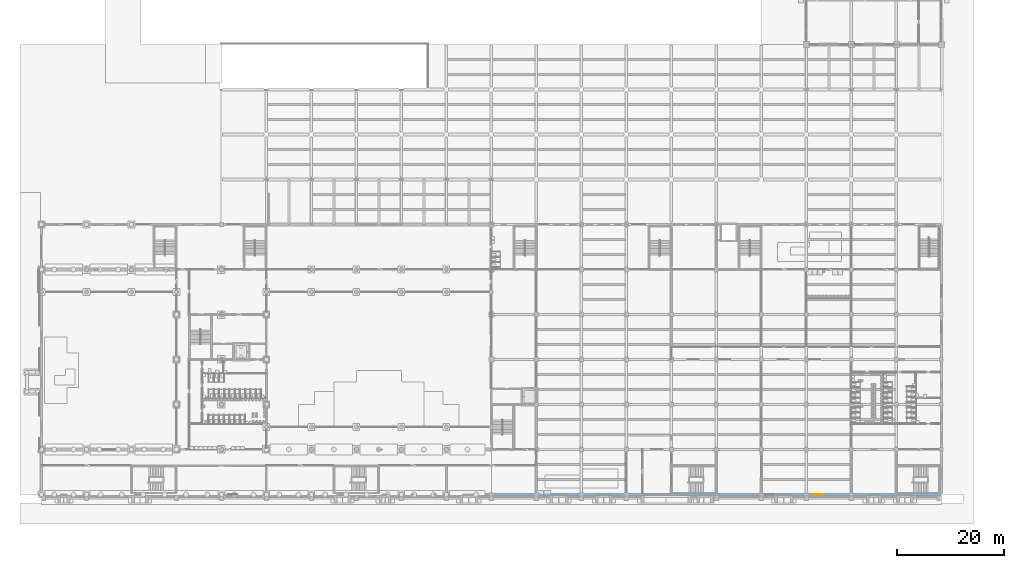
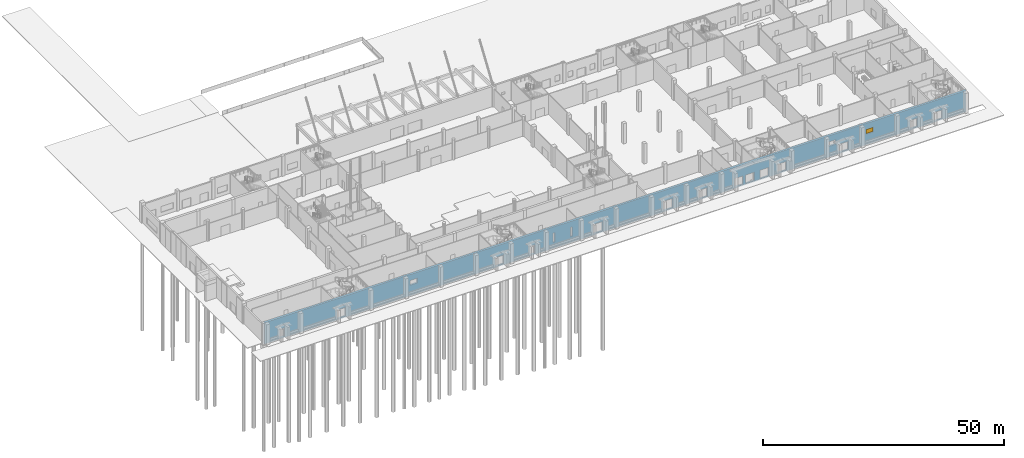
# One storey, part 26 of 74: 1 window, 19 openings, plus 1 element that does not belong to this part.
"""IFC4 building model written with IfcOpenShell, lengths in metres."""

from ifc_helpers import new_model, si_unit, direction, frame, frame_2d, origin, place, context, subcontext, project, spatial, rectangle, extrude, material, layer, layer_set, type_object, element, fill, save


model = new_model("IFC4")

# Units and contexts
model_context = context("Model", 3, precision=1e-05, world=origin(), true_north=direction((0.0, 1.0)))
body_context = subcontext(model_context, "Body", "Model", "MODEL_VIEW")
ifc_project = project(units=[si_unit("LENGTHUNIT", "METRE"), si_unit("AREAUNIT", "SQUARE_METRE"), si_unit("VOLUMEUNIT", "CUBIC_METRE"), si_unit("PLANEANGLEUNIT", "RADIAN"), si_unit("MASSUNIT", "GRAM", prefix="KILO")], contexts=[model_context])

# Site, building, storey
site_placement = place(None, origin())
site = spatial("IfcSite", under=ifc_project, at=site_placement, CompositionType="ELEMENT")
building_placement = place(site_placement, origin())
building = spatial("IfcBuilding", under=site, at=building_placement, Name="Rulbaag Community and Learning Centre", CompositionType="ELEMENT")
storey_placement = place(building_placement, origin())
storey = spatial("IfcBuildingStorey", under=building, at=storey_placement, Name="L00", CompositionType="ELEMENT", Elevation=0.0)

# Wall, openings, window
ifc_material_1 = material(Name="Concrete M40", Category="concrete")
ifc_layer = layer(ifc_material_1, 0.449951171875)
ifc_layer_set = layer_set([ifc_layer], Name="W12 Rail-side wall 450 Concrete M40")
wall_type = type_object("IfcWallType", Name="W12 Rail-side wall 450 Concrete M40", PredefinedType="SOLIDWALL", material=ifc_layer_set)
wall_placement = place(storey_placement, frame((0.0, 0.0, -0.300048828125), z_axis=(0.0, 0.0, 1.0), x_axis=(1.0, 0.0, 0.0)))
wall = element("IfcWall", 1, at=wall_placement, inside=storey, type_object=wall_type, Name="WL-RAIL-L00", PredefinedType="SOLIDWALL", context=body_context, shape_type="SweptSolid", body=[
    extrude(rectangle(XDim=168.0, YDim=0.449951171875, at=frame_2d((84.0, 0.0))), origin(), (0.0, 0.0, 1.0), 5.400146484375),
])
opening_1_placement = place(wall_placement, frame((34.800048828125, 0.0, 2.699951171875)))
element("IfcOpeningElement", 2, at=opening_1_placement, cuts=wall, Name="Opening WN7", PredefinedType="OPENING", context=body_context, shape_type="SweptSolid", body=[
    extrude(rectangle(XDim=1.800048828125, YDim=1.199951171875, at=frame_2d((0.89990234375, 0.60009765625))), frame((0.0, 0.23486328125, 0.0), z_axis=(0.0, -1.0, 0.0), x_axis=(1.0, 0.0, 0.0)), (0.0, 0.0, 1.0), 0.469970703125),
])
opening_2_placement = place(wall_placement, frame((69.074951171875, 0.0, 1.5)))
element("IfcOpeningElement", 3, at=opening_2_placement, cuts=wall, Name="Opening WN6", PredefinedType="OPENING", context=body_context, shape_type="SweptSolid", body=[
    extrude(rectangle(XDim=0.449951171875, YDim=2.39990234375, at=frame_2d((0.22509765625, 1.199951171875))), frame((0.0, 0.23486328125, 0.0), z_axis=(0.0, -1.0, 0.0), x_axis=(1.0, 0.0, 0.0)), (0.0, 0.0, 1.0), 0.469970703125),
])
opening_3_placement = place(wall_placement, frame((73.27490234375, 0.0, 1.5)))
element("IfcOpeningElement", 4, at=opening_3_placement, cuts=wall, Name="Opening WN6", PredefinedType="OPENING", context=body_context, shape_type="SweptSolid", body=[
    extrude(rectangle(XDim=0.449951171875, YDim=2.39990234375, at=frame_2d((0.22509765625, 1.199951171875))), frame((0.0, 0.23486328125, 0.0), z_axis=(0.0, -1.0, 0.0), x_axis=(1.0, 0.0, 0.0)), (0.0, 0.0, 1.0), 0.469970703125),
])
opening_4_placement = place(wall_placement, frame((135.0, 0.0, 2.699951171875)))
element("IfcOpeningElement", 5, at=opening_4_placement, cuts=wall, Name="Opening WN7", PredefinedType="OPENING", context=body_context, shape_type="SweptSolid", body=[
    extrude(rectangle(XDim=1.800048828125, YDim=1.199951171875, at=frame_2d((0.89990234375, 0.60009765625))), frame((0.0, 0.23486328125, 0.0), z_axis=(0.0, -1.0, 0.0), x_axis=(1.0, 0.0, 0.0)), (0.0, 0.0, 1.0), 0.469970703125),
])
opening_5_placement = place(wall_placement, frame((144.0, 0.0, 2.699951171875)))
opening_5 = element("IfcOpeningElement", 6, at=opening_5_placement, cuts=wall, Name="Opening WN7", PredefinedType="OPENING", context=body_context, shape_type="SweptSolid", body=[
    extrude(rectangle(XDim=1.800048828125, YDim=1.199951171875, at=frame_2d((0.89990234375, 0.60009765625))), frame((0.0, 0.23486328125, 0.0), z_axis=(0.0, -1.0, 0.0), x_axis=(1.0, 0.0, 0.0)), (0.0, 0.0, 1.0), 0.469970703125),
])
opening_6_placement = place(wall_placement, frame((114.60009765625, 0.0, 0.300048828125), z_axis=(0.0, 0.0, 1.0), x_axis=(-1.0, 0.0, 0.0)))
element("IfcOpeningElement", 7, at=opening_6_placement, cuts=wall, Name="Opening L00-D098", PredefinedType="OPENING", context=body_context, shape_type="SweptSolid", body=[
    extrude(rectangle(XDim=2.10009765625, YDim=2.199951171875, at=frame_2d((1.050048828125, 1.10009765625))), frame((0.0, 0.23486328125, 0.0), z_axis=(0.0, -1.0, 0.0), x_axis=(1.0, 0.0, 0.0)), (0.0, 0.0, 1.0), 0.469970703125),
])
opening_7_placement = place(wall_placement, frame((117.300048828125, 0.0, 0.300048828125), z_axis=(0.0, 0.0, 1.0), x_axis=(-1.0, 0.0, 0.0)))
element("IfcOpeningElement", 8, at=opening_7_placement, cuts=wall, Name="Opening L00-D100", PredefinedType="OPENING", context=body_context, shape_type="SweptSolid", body=[
    extrude(rectangle(XDim=2.10009765625, YDim=2.199951171875, at=frame_2d((1.050048828125, 1.10009765625))), frame((0.0, 0.23486328125, 0.0), z_axis=(0.0, -1.0, 0.0), x_axis=(1.0, 0.0, 0.0)), (0.0, 0.0, 1.0), 0.469970703125),
])
opening_8_placement = place(wall_placement, frame((106.050048828125, 0.0, 0.300048828125), z_axis=(0.0, 0.0, 1.0), x_axis=(-1.0, 0.0, 0.0)))
element("IfcOpeningElement", 9, at=opening_8_placement, cuts=wall, Name="Opening L00-D094", PredefinedType="OPENING", context=body_context, shape_type="SweptSolid", body=[
    extrude(rectangle(XDim=2.10009765625, YDim=2.199951171875, at=frame_2d((1.050048828125, 1.10009765625))), frame((0.0, 0.23486328125, 0.0), z_axis=(0.0, -1.0, 0.0), x_axis=(1.0, 0.0, 0.0)), (0.0, 0.0, 1.0), 0.469970703125),
])
opening_9_placement = place(wall_placement, frame((57.25, 0.0, 0.300048828125), z_axis=(0.0, 0.0, 1.0), x_axis=(-1.0, 0.0, 0.0)))
element("IfcOpeningElement", 10, at=opening_9_placement, cuts=wall, Name="Opening L00-D066", PredefinedType="OPENING", context=body_context, shape_type="SweptSolid", body=[
    extrude(rectangle(XDim=2.10009765625, YDim=2.199951171875, at=frame_2d((1.050048828125, 1.10009765625))), frame((0.0, 0.23486328125, 0.0), z_axis=(0.0, -1.0, 0.0), x_axis=(1.0, 0.0, 0.0)), (0.0, 0.0, 1.0), 0.469970703125),
])
opening_10_placement = place(wall_placement, frame((120.75, 0.0, 0.300048828125), z_axis=(0.0, 0.0, 1.0), x_axis=(-1.0, 0.0, 0.0)))
element("IfcOpeningElement", 11, at=opening_10_placement, cuts=wall, Name="Opening L00-D106", PredefinedType="OPENING", context=body_context, shape_type="SweptSolid", body=[
    extrude(rectangle(XDim=2.10009765625, YDim=2.199951171875, at=frame_2d((1.050048828125, 1.10009765625))), frame((0.0, 0.23486328125, 0.0), z_axis=(0.0, -1.0, 0.0), x_axis=(1.0, 0.0, 0.0)), (0.0, 0.0, 1.0), 0.469970703125),
])
opening_11_placement = place(wall_placement, frame((124.9501953125, 0.0, 0.300048828125), z_axis=(0.0, 0.0, 1.0), x_axis=(-1.0, 0.0, 0.0)))
element("IfcOpeningElement", 12, at=opening_11_placement, cuts=wall, Name="Opening L00-D110", PredefinedType="OPENING", context=body_context, shape_type="SweptSolid", body=[
    extrude(rectangle(XDim=2.10009765625, YDim=2.199951171875, at=frame_2d((1.050048828125, 1.10009765625))), frame((0.0, 0.23486328125, 0.0), z_axis=(0.0, -1.0, 0.0), x_axis=(1.0, 0.0, 0.0)), (0.0, 0.0, 1.0), 0.469970703125),
])
opening_12_placement = place(wall_placement, frame((19.4501953125, 0.0, 0.300048828125), z_axis=(0.0, 0.0, 1.0), x_axis=(-1.0, 0.0, 0.0)))
element("IfcOpeningElement", 13, at=opening_12_placement, cuts=wall, Name="Opening L00-D013", PredefinedType="OPENING", context=body_context, shape_type="SweptSolid", body=[
    extrude(rectangle(XDim=2.10009765625, YDim=2.199951171875, at=frame_2d((1.050048828125, 1.10009765625))), frame((0.0, 0.23486328125, 0.0), z_axis=(0.0, -1.0, 0.0), x_axis=(1.0, 0.0, 0.0)), (0.0, 0.0, 1.0), 0.469970703125),
])
opening_13_placement = place(wall_placement, frame((162.25, 0.0, 0.300048828125), z_axis=(0.0, 0.0, 1.0), x_axis=(-1.0, 0.0, 0.0)))
element("IfcOpeningElement", 14, at=opening_13_placement, cuts=wall, Name="Opening L00-D177", PredefinedType="OPENING", context=body_context, shape_type="SweptSolid", body=[
    extrude(rectangle(XDim=2.10009765625, YDim=2.199951171875, at=frame_2d((1.050048828125, 1.10009765625))), frame((0.0, 0.23486328125, 0.0), z_axis=(0.0, -1.0, 0.0), x_axis=(1.0, 0.0, 0.0)), (0.0, 0.0, 1.0), 0.469970703125),
])
opening_14_placement = place(wall_placement, frame((4.800048828125, 0.0, 0.300048828125), z_axis=(0.0, 0.0, 1.0), x_axis=(-1.0, 0.0, 0.0)))
element("IfcOpeningElement", 15, at=opening_14_placement, cuts=wall, Name="Opening L00-D005", PredefinedType="OPENING", context=body_context, shape_type="SweptSolid", body=[
    extrude(rectangle(XDim=1.199951171875, YDim=2.199951171875, at=frame_2d((0.60009765625, 1.10009765625))), frame((0.0, 0.23486328125, 0.0), z_axis=(0.0, -1.0, 0.0), x_axis=(1.0, 0.0, 0.0)), (0.0, 0.0, 1.0), 0.469970703125),
])
opening_15_placement = place(wall_placement, frame((64.800048828125, 0.0, 0.300048828125), z_axis=(0.0, 0.0, 1.0), x_axis=(-1.0, 0.0, 0.0)))
element("IfcOpeningElement", 16, at=opening_15_placement, cuts=wall, Name="Opening L00-D072", PredefinedType="OPENING", context=body_context, shape_type="SweptSolid", body=[
    extrude(rectangle(XDim=1.199951171875, YDim=2.199951171875, at=frame_2d((0.60009765625, 1.10009765625))), frame((0.0, 0.23486328125, 0.0), z_axis=(0.0, -1.0, 0.0), x_axis=(1.0, 0.0, 0.0)), (0.0, 0.0, 1.0), 0.469970703125),
])
opening_16_placement = place(wall_placement, frame((81.0, 0.0, 0.300048828125), z_axis=(0.0, 0.0, 1.0), x_axis=(-1.0, 0.0, 0.0)))
element("IfcOpeningElement", 17, at=opening_16_placement, cuts=wall, Name="Opening L00-D075", PredefinedType="OPENING", context=body_context, shape_type="SweptSolid", body=[
    extrude(rectangle(XDim=2.39990234375, YDim=2.39990234375, at=frame_2d((1.199951171875, 1.199951171875))), frame((0.0, 0.23486328125, 0.0), z_axis=(0.0, -1.0, 0.0), x_axis=(1.0, 0.0, 0.0)), (0.0, 0.0, 1.0), 0.469970703125),
])
opening_17_placement = place(wall_placement, frame((97.7998046875, 0.0, 0.300048828125), z_axis=(0.0, 0.0, 1.0), x_axis=(-1.0, 0.0, 0.0)))
element("IfcOpeningElement", 18, at=opening_17_placement, cuts=wall, Name="Opening L00-D091", PredefinedType="OPENING", context=body_context, shape_type="SweptSolid", body=[
    extrude(rectangle(XDim=2.39990234375, YDim=2.39990234375, at=frame_2d((1.199951171875, 1.199951171875))), frame((0.0, 0.23486328125, 0.0), z_axis=(0.0, -1.0, 0.0), x_axis=(1.0, 0.0, 0.0)), (0.0, 0.0, 1.0), 0.469970703125),
])
opening_18_placement = place(wall_placement, frame((139.7998046875, 0.0, 0.300048828125), z_axis=(0.0, 0.0, 1.0), x_axis=(-1.0, 0.0, 0.0)))
element("IfcOpeningElement", 19, at=opening_18_placement, cuts=wall, Name="Opening L00-D122", PredefinedType="OPENING", context=body_context, shape_type="SweptSolid", body=[
    extrude(rectangle(XDim=2.39990234375, YDim=2.10009765625, at=frame_2d((1.199951171875, 1.050048828125))), frame((0.0, 0.23486328125, 0.0), z_axis=(0.0, -1.0, 0.0), x_axis=(1.0, 0.0, 0.0)), (0.0, 0.0, 1.0), 0.469970703125),
])
opening_19_placement = place(wall_placement, frame((156.300048828125, 0.0, 0.300048828125), z_axis=(0.0, 0.0, 1.0), x_axis=(-1.0, 0.0, 0.0)))
element("IfcOpeningElement", 20, at=opening_19_placement, cuts=wall, Name="Opening L00-D155", PredefinedType="OPENING", context=body_context, shape_type="SweptSolid", body=[
    extrude(rectangle(XDim=1.800048828125, YDim=2.199951171875, at=frame_2d((0.89990234375, 1.10009765625))), frame((0.0, 0.23486328125, 0.0), z_axis=(0.0, -1.0, 0.0), x_axis=(1.0, 0.0, 0.0)), (0.0, 0.0, 1.0), 0.469970703125),
])
ifc_material_2 = material(Name="Aluminium", Category="aluminium")
window_type = type_object("IfcWindowType", Name="LV-18", PartitioningType="SINGLE_PANEL", PredefinedType="WINDOW", material=ifc_material_2)
window_placement = place(opening_5_placement, origin())
window = element("IfcWindow", 21, at=window_placement, inside=storey, type_object=window_type, Name="Window WN7", OverallHeight=1.199951171875, OverallWidth=1.800048828125, PartitioningType="SINGLE_PANEL", PredefinedType="WINDOW", context=body_context, shape_type="SweptSolid", body=[
    extrude(rectangle(XDim=1.800048828125, YDim=1.199951171875, at=frame_2d((0.89990234375, 0.60009765625))), frame((0.0, 0.030029296875, 0.0), z_axis=(0.0, -1.0, 0.0), x_axis=(1.0, 0.0, 0.0)), (0.0, 0.0, 1.0), 0.06005859375),
])
fill(opening_5, window)

save(model, "model.ifc")
